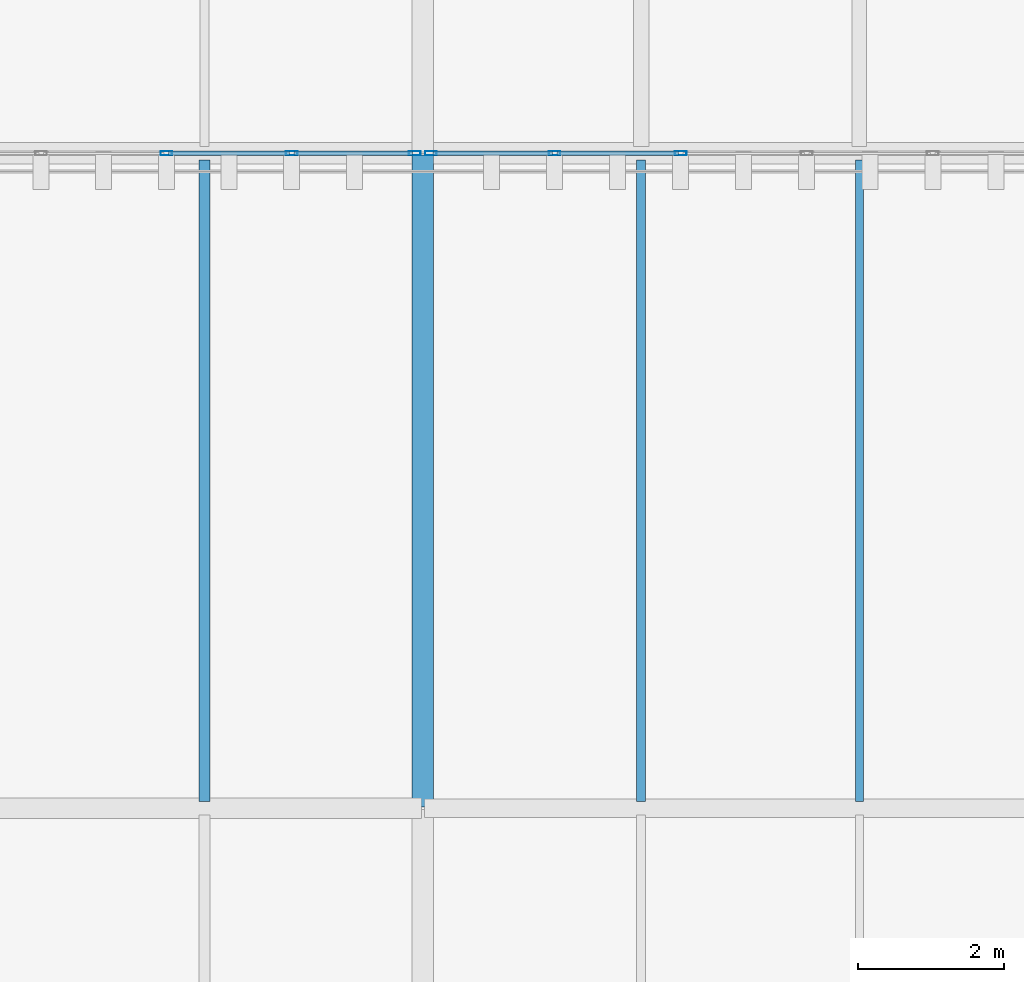
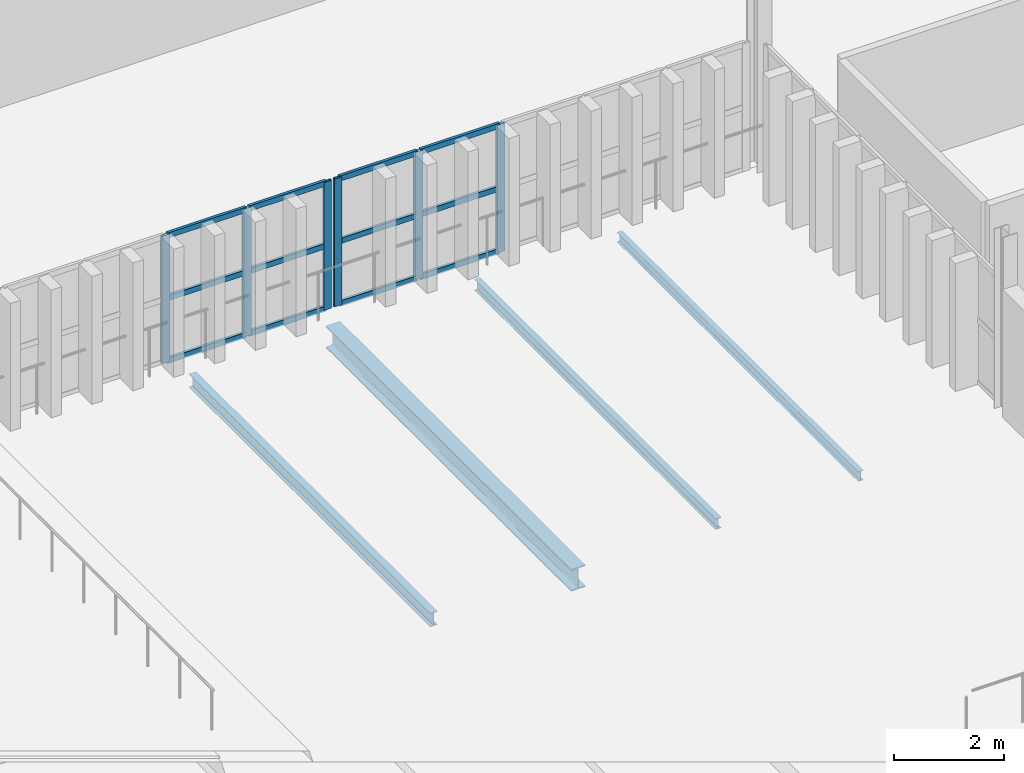
# One storey, part 39 of 102: 18 members, 4 beams, 2 elements without a shape of their own.
"""IFC4 building model written with IfcOpenShell, lengths in metres."""

from ifc_helpers import new_model, si_unit, direction, frame, origin, origin_2d, place, context, subcontext, project, spatial, hollow_rectangle, i_section, extrude, material, layer, layer_set, material_profile, profile_set, type_object, element, aggregate, save


model = new_model("IFC4")

# Units and contexts
model_context = context("Model", 3, precision=1e-05, world=origin(), true_north=direction((0.0, 1.0)))
body_context = subcontext(model_context, "Body", "Model", "MODEL_VIEW")
ifc_project = project(units=[si_unit("LENGTHUNIT", "METRE"), si_unit("AREAUNIT", "SQUARE_METRE"), si_unit("VOLUMEUNIT", "CUBIC_METRE"), si_unit("PLANEANGLEUNIT", "RADIAN"), si_unit("MASSUNIT", "GRAM", prefix="KILO")], contexts=[model_context])

# Site, building, storey
site_placement = place(None, origin())
site = spatial("IfcSite", under=ifc_project, at=site_placement, CompositionType="ELEMENT")
building_placement = place(site_placement, origin())
building = spatial("IfcBuilding", under=site, at=building_placement, Name="Barlavento Convention Centre", CompositionType="ELEMENT")
storey_placement = place(building_placement, frame((0.0, 0.0, 22.800048828125)))
storey = spatial("IfcBuildingStorey", under=building, at=storey_placement, Name="L04", CompositionType="ELEMENT", Elevation=22.800048828125)

# Curtain wall, members
ifc_material_1 = material(Name="Powder-coated aluminium and Low-E glass", Category="aluminium")
ifc_layer = layer(ifc_material_1, 0.18505859375)
ifc_layer_set = layer_set([ifc_layer], Name="ARC-CW-CONF-L04")
curtain_wall_type = type_object("IfcCurtainWallType", Name="ARC-CW-CONF-L04", PredefinedType="NOTDEFINED", material=ifc_layer_set)
curtain_wall_1_placement = place(storey_placement, origin())
curtain_wall_1 = element("IfcCurtainWall", 1, at=curtain_wall_1_placement, inside=storey, type_object=curtain_wall_type, Name="L04 unitised curtain wall CW09", PredefinedType="NOTDEFINED")
ifc_material_2 = material(Name="Powder-coated aluminium", Category="aluminium")
ifc_material_profile_1 = material_profile(ifc_material_2, hollow_rectangle(XDim=0.06005859375, YDim=0.159912109375, WallThickness=0.00390625, at=origin_2d()), Name="AL-MULL 60x160x4")
ifc_profile_set_1 = profile_set([ifc_material_profile_1], Name="Powder-coated aluminium")
member_type_1 = type_object("IfcMemberType", Name="ARC-CWM-60X160", PredefinedType="MULLION", material=ifc_profile_set_1)
member_1_placement = place(storey_placement, frame((140.47607421875, 54.0, 0.0), z_axis=(0.0, 0.0, 1.0), x_axis=(0.0, 1.0, 0.0)))
member_1 = element("IfcMember", 2, at=member_1_placement, type_object=member_type_1, Name="CW09 mullion 4", PredefinedType="MULLION", context=body_context, shape_type="SweptSolid", body=[
    extrude(hollow_rectangle(XDim=0.06005859375, YDim=0.159912109375, WallThickness=0.00390625, at=origin_2d()), origin(), (0.0, 0.0, 1.0), 2.849853515625),
])
member_2_placement = place(storey_placement, frame((142.197998046875, 54.0, 0.0), z_axis=(0.0, 0.0, 1.0), x_axis=(0.0, 1.0, 0.0)))
member_2 = element("IfcMember", 3, at=member_2_placement, type_object=member_type_1, Name="CW09 mullion 5", PredefinedType="MULLION", context=body_context, shape_type="SweptSolid", body=[
    extrude(hollow_rectangle(XDim=0.06005859375, YDim=0.159912109375, WallThickness=0.00390625, at=origin_2d()), origin(), (0.0, 0.0, 1.0), 2.849853515625),
])
member_3_placement = place(storey_placement, frame((143.889892578125, 54.0, 0.0), z_axis=(0.0, 0.0, 1.0), x_axis=(0.0, 1.0, 0.0)))
member_3 = element("IfcMember", 4, at=member_3_placement, type_object=member_type_1, Name="CW09 mullion 6", PredefinedType="MULLION", context=body_context, shape_type="SweptSolid", body=[
    extrude(hollow_rectangle(XDim=0.06005859375, YDim=0.159912109375, WallThickness=0.00390625, at=origin_2d()), origin(), (0.0, 0.0, 1.0), 2.849853515625),
])

curtain_wall_2_placement = place(storey_placement, origin())
curtain_wall_2 = element("IfcCurtainWall", 5, at=curtain_wall_2_placement, inside=storey, type_object=curtain_wall_type, Name="L04 unitised curtain wall CW09", PredefinedType="NOTDEFINED")
member_4_placement = place(storey_placement, frame((144.110107421875, 54.0, 0.0), z_axis=(0.0, 0.0, 1.0), x_axis=(0.0, 1.0, 0.0)))
member_4 = element("IfcMember", 6, at=member_4_placement, type_object=member_type_1, Name="CW09 mullion 1", PredefinedType="MULLION", context=body_context, shape_type="SweptSolid", body=[
    extrude(hollow_rectangle(XDim=0.06005859375, YDim=0.159912109375, WallThickness=0.00390625, at=origin_2d()), origin(), (0.0, 0.0, 1.0), 2.849853515625),
])
member_5_placement = place(storey_placement, frame((145.81201171875, 54.0, 0.0), z_axis=(0.0, 0.0, 1.0), x_axis=(0.0, 1.0, 0.0)))
member_5 = element("IfcMember", 7, at=member_5_placement, type_object=member_type_1, Name="CW09 mullion 2", PredefinedType="MULLION", context=body_context, shape_type="SweptSolid", body=[
    extrude(hollow_rectangle(XDim=0.06005859375, YDim=0.159912109375, WallThickness=0.00390625, at=origin_2d()), origin(), (0.0, 0.0, 1.0), 2.849853515625),
])
member_6_placement = place(storey_placement, frame((147.5439453125, 54.0, 0.0), z_axis=(0.0, 0.0, 1.0), x_axis=(0.0, 1.0, 0.0)))
member_6 = element("IfcMember", 8, at=member_6_placement, type_object=member_type_1, Name="CW09 mullion 3", PredefinedType="MULLION", context=body_context, shape_type="SweptSolid", body=[
    extrude(hollow_rectangle(XDim=0.06005859375, YDim=0.159912109375, WallThickness=0.00390625, at=origin_2d()), origin(), (0.0, 0.0, 1.0), 2.849853515625),
])

# Member
ifc_material_profile_2 = material_profile(ifc_material_2, hollow_rectangle(XDim=0.06005859375, YDim=0.1201171875, WallThickness=0.00390625, at=origin_2d()), Name="AL-TRAN 60x120x4")
ifc_profile_set_2 = profile_set([ifc_material_profile_2], Name="Powder-coated aluminium")
member_type_2 = type_object("IfcMemberType", Name="ARC-CWT-60X120", PredefinedType="USERDEFINED", material=ifc_profile_set_2)
member_7_placement = place(storey_placement, frame((140.506103515625, 54.0, 0.030029296875), z_axis=(1.0, 0.0, 0.0), x_axis=(0.0, 1.0, 0.0)))
member_7 = element("IfcMember", 9, at=member_7_placement, type_object=member_type_2, Name="CW09 transom 4.1", ObjectType="TRANSOM", PredefinedType="USERDEFINED", context=body_context, shape_type="SweptSolid", body=[
    extrude(hollow_rectangle(XDim=0.06005859375, YDim=0.1201171875, WallThickness=0.00390625, at=origin_2d()), origin(), (0.0, 0.0, 1.0), 1.661865234375),
])

member_8_placement = place(storey_placement, frame((140.506103515625, 54.0, 1.425048828125), z_axis=(1.0, 0.0, 0.0), x_axis=(0.0, 1.0, 0.0)))
member_8 = element("IfcMember", 10, at=member_8_placement, type_object=member_type_2, Name="CW09 transom 4.2", ObjectType="TRANSOM", PredefinedType="USERDEFINED", context=body_context, shape_type="SweptSolid", body=[
    extrude(hollow_rectangle(XDim=0.06005859375, YDim=0.1201171875, WallThickness=0.00390625, at=origin_2d()), origin(), (0.0, 0.0, 1.0), 1.661865234375),
])

member_9_placement = place(storey_placement, frame((140.506103515625, 54.0, 2.820068359375), z_axis=(1.0, 0.0, 0.0), x_axis=(0.0, 1.0, 0.0)))
member_9 = element("IfcMember", 11, at=member_9_placement, type_object=member_type_2, Name="CW09 transom 4.3", ObjectType="TRANSOM", PredefinedType="USERDEFINED", context=body_context, shape_type="SweptSolid", body=[
    extrude(hollow_rectangle(XDim=0.06005859375, YDim=0.1201171875, WallThickness=0.00390625, at=origin_2d()), origin(), (0.0, 0.0, 1.0), 1.661865234375),
])

member_10_placement = place(storey_placement, frame((142.22802734375, 54.0, 0.030029296875), z_axis=(1.0, 0.0, 0.0), x_axis=(0.0, 1.0, 0.0)))
member_10 = element("IfcMember", 12, at=member_10_placement, type_object=member_type_2, Name="CW09 transom 5.1", ObjectType="TRANSOM", PredefinedType="USERDEFINED", context=body_context, shape_type="SweptSolid", body=[
    extrude(hollow_rectangle(XDim=0.06005859375, YDim=0.1201171875, WallThickness=0.00390625, at=origin_2d()), origin(), (0.0, 0.0, 1.0), 1.632080078125),
])

member_11_placement = place(storey_placement, frame((142.22802734375, 54.0, 1.425048828125), z_axis=(1.0, 0.0, 0.0), x_axis=(0.0, 1.0, 0.0)))
member_11 = element("IfcMember", 13, at=member_11_placement, type_object=member_type_2, Name="CW09 transom 5.2", ObjectType="TRANSOM", PredefinedType="USERDEFINED", context=body_context, shape_type="SweptSolid", body=[
    extrude(hollow_rectangle(XDim=0.06005859375, YDim=0.1201171875, WallThickness=0.00390625, at=origin_2d()), origin(), (0.0, 0.0, 1.0), 1.632080078125),
])

member_12_placement = place(storey_placement, frame((142.22802734375, 54.0, 2.820068359375), z_axis=(1.0, 0.0, 0.0), x_axis=(0.0, 1.0, 0.0)))
member_12 = element("IfcMember", 14, at=member_12_placement, type_object=member_type_2, Name="CW09 transom 5.3", ObjectType="TRANSOM", PredefinedType="USERDEFINED", context=body_context, shape_type="SweptSolid", body=[
    extrude(hollow_rectangle(XDim=0.06005859375, YDim=0.1201171875, WallThickness=0.00390625, at=origin_2d()), origin(), (0.0, 0.0, 1.0), 1.632080078125),
])

aggregate(curtain_wall_1, [member_1, member_2, member_3, member_7, member_8, member_9, member_10, member_11, member_12])

member_13_placement = place(storey_placement, frame((144.139892578125, 54.0, 0.030029296875), z_axis=(1.0, 0.0, 0.0), x_axis=(0.0, 1.0, 0.0)))
member_13 = element("IfcMember", 15, at=member_13_placement, type_object=member_type_2, Name="CW09 transom 1.1", ObjectType="TRANSOM", PredefinedType="USERDEFINED", context=body_context, shape_type="SweptSolid", body=[
    extrude(hollow_rectangle(XDim=0.06005859375, YDim=0.1201171875, WallThickness=0.00390625, at=origin_2d()), origin(), (0.0, 0.0, 1.0), 1.64208984375),
])

member_14_placement = place(storey_placement, frame((144.139892578125, 54.0, 1.425048828125), z_axis=(1.0, 0.0, 0.0), x_axis=(0.0, 1.0, 0.0)))
member_14 = element("IfcMember", 16, at=member_14_placement, type_object=member_type_2, Name="CW09 transom 1.2", ObjectType="TRANSOM", PredefinedType="USERDEFINED", context=body_context, shape_type="SweptSolid", body=[
    extrude(hollow_rectangle(XDim=0.06005859375, YDim=0.1201171875, WallThickness=0.00390625, at=origin_2d()), origin(), (0.0, 0.0, 1.0), 1.64208984375),
])

member_15_placement = place(storey_placement, frame((144.139892578125, 54.0, 2.820068359375), z_axis=(1.0, 0.0, 0.0), x_axis=(0.0, 1.0, 0.0)))
member_15 = element("IfcMember", 17, at=member_15_placement, type_object=member_type_2, Name="CW09 transom 1.3", ObjectType="TRANSOM", PredefinedType="USERDEFINED", context=body_context, shape_type="SweptSolid", body=[
    extrude(hollow_rectangle(XDim=0.06005859375, YDim=0.1201171875, WallThickness=0.00390625, at=origin_2d()), origin(), (0.0, 0.0, 1.0), 1.64208984375),
])

member_16_placement = place(storey_placement, frame((145.842041015625, 54.0, 0.030029296875), z_axis=(1.0, 0.0, 0.0), x_axis=(0.0, 1.0, 0.0)))
member_16 = element("IfcMember", 18, at=member_16_placement, type_object=member_type_2, Name="CW09 transom 2.1", ObjectType="TRANSOM", PredefinedType="USERDEFINED", context=body_context, shape_type="SweptSolid", body=[
    extrude(hollow_rectangle(XDim=0.06005859375, YDim=0.1201171875, WallThickness=0.00390625, at=origin_2d()), origin(), (0.0, 0.0, 1.0), 1.671875),
])

member_17_placement = place(storey_placement, frame((145.842041015625, 54.0, 1.425048828125), z_axis=(1.0, 0.0, 0.0), x_axis=(0.0, 1.0, 0.0)))
member_17 = element("IfcMember", 19, at=member_17_placement, type_object=member_type_2, Name="CW09 transom 2.2", ObjectType="TRANSOM", PredefinedType="USERDEFINED", context=body_context, shape_type="SweptSolid", body=[
    extrude(hollow_rectangle(XDim=0.06005859375, YDim=0.1201171875, WallThickness=0.00390625, at=origin_2d()), origin(), (0.0, 0.0, 1.0), 1.671875),
])

member_18_placement = place(storey_placement, frame((145.842041015625, 54.0, 2.820068359375), z_axis=(1.0, 0.0, 0.0), x_axis=(0.0, 1.0, 0.0)))
member_18 = element("IfcMember", 20, at=member_18_placement, type_object=member_type_2, Name="CW09 transom 2.3", ObjectType="TRANSOM", PredefinedType="USERDEFINED", context=body_context, shape_type="SweptSolid", body=[
    extrude(hollow_rectangle(XDim=0.06005859375, YDim=0.1201171875, WallThickness=0.00390625, at=origin_2d()), origin(), (0.0, 0.0, 1.0), 1.671875),
])

aggregate(curtain_wall_2, [member_4, member_5, member_6, member_13, member_14, member_15, member_16, member_17, member_18])

# Beams
ifc_material_3 = material(Name="Steel S355", Category="steel")
ifc_material_profile_3 = material_profile(ifc_material_3, i_section(OverallWidth=0.110107421875, OverallDepth=0.219970703125, WebThickness=0.005859375, FlangeThickness=0.00927734375, FilletRadius=0.011962890625, at=origin_2d()), Name="IPE 220")
ifc_profile_set_3 = profile_set([ifc_material_profile_3], Name="Steel S355")
beam_type_1 = type_object("IfcBeamType", Name="STR-BM-JST-IPE220", PredefinedType="JOIST", material=ifc_profile_set_3)
beam_1_placement = place(storey_placement, frame((150.0, 45.094970703125, -0.469970703125), z_axis=(0.0, 1.0, 0.0), x_axis=(-1.0, 0.0, 0.0)))
element("IfcBeam", 21, at=beam_1_placement, inside=storey, type_object=beam_type_1, Name="L04 composite floor joist SJ10", PredefinedType="JOIST", context=body_context, shape_type="SweptSolid", body=[
    extrude(i_section(OverallWidth=0.110107421875, OverallDepth=0.219970703125, WebThickness=0.005859375, FlangeThickness=0.00927734375, FilletRadius=0.011962890625, at=origin_2d()), origin(), (0.0, 0.0, 1.0), 8.81005859375),
])
ifc_material_profile_4 = material_profile(ifc_material_3, i_section(OverallWidth=0.1201171875, OverallDepth=0.239990234375, WebThickness=0.006103515625, FlangeThickness=0.009765625, FilletRadius=0.014892578125, at=origin_2d()), Name="IPE 240")
ifc_profile_set_4 = profile_set([ifc_material_profile_4], Name="Steel S355")
beam_type_2 = type_object("IfcBeamType", Name="STR-BM-JST-IPE240", PredefinedType="JOIST", material=ifc_profile_set_4)
beam_2_placement = place(storey_placement, frame((147.0, 45.094970703125, -0.47998046875), z_axis=(0.0, 1.0, 0.0), x_axis=(-1.0, 0.0, 0.0)))
element("IfcBeam", 22, at=beam_2_placement, inside=storey, type_object=beam_type_2, Name="L04 composite floor joist SJ09", PredefinedType="JOIST", context=body_context, shape_type="SweptSolid", body=[
    extrude(i_section(OverallWidth=0.1201171875, OverallDepth=0.239990234375, WebThickness=0.006103515625, FlangeThickness=0.009765625, FilletRadius=0.014892578125, at=origin_2d()), origin(), (0.0, 0.0, 1.0), 8.81005859375),
])
ifc_material_profile_5 = material_profile(ifc_material_3, i_section(OverallWidth=0.14990234375, OverallDepth=0.300048828125, WebThickness=0.007080078125, FlangeThickness=0.0107421875, FilletRadius=0.014892578125, at=origin_2d()), Name="IPE 300")
ifc_profile_set_5 = profile_set([ifc_material_profile_5], Name="Steel S355")
beam_type_3 = type_object("IfcBeamType", Name="STR-BM-JST-IPE300", PredefinedType="JOIST", material=ifc_profile_set_5)
beam_3_placement = place(storey_placement, frame((141.0, 45.094970703125, -0.510009765625), z_axis=(0.0, 1.0, 0.0), x_axis=(-1.0, 0.0, 0.0)))
element("IfcBeam", 23, at=beam_3_placement, inside=storey, type_object=beam_type_3, Name="L04 composite floor joist SJ07", PredefinedType="JOIST", context=body_context, shape_type="SweptSolid", body=[
    extrude(i_section(OverallWidth=0.14990234375, OverallDepth=0.300048828125, WebThickness=0.007080078125, FlangeThickness=0.0107421875, FilletRadius=0.014892578125, at=origin_2d()), origin(), (0.0, 0.0, 1.0), 8.81005859375),
])
ifc_material_profile_6 = material_profile(ifc_material_3, i_section(OverallWidth=0.300048828125, OverallDepth=0.489990234375, WebThickness=0.011962890625, FlangeThickness=0.02294921875, FilletRadius=0.027099609375, at=origin_2d()), Name="HEA 500")
ifc_profile_set_6 = profile_set([ifc_material_profile_6], Name="Steel S355")
beam_type_4 = type_object("IfcBeamType", Name="STR-BM-PRI-HEA500", PredefinedType="BEAM", material=ifc_profile_set_6)
beam_4_placement = place(storey_placement, frame((144.0, 45.02001953125, -0.60498046875), z_axis=(0.0, 1.0, 0.0), x_axis=(-1.0, 0.0, 0.0)))
element("IfcBeam", 24, at=beam_4_placement, inside=storey, type_object=beam_type_4, Name="L04 grid girder BG20", PredefinedType="BEAM", context=body_context, shape_type="SweptSolid", body=[
    extrude(i_section(OverallWidth=0.300048828125, OverallDepth=0.489990234375, WebThickness=0.011962890625, FlangeThickness=0.02294921875, FilletRadius=0.027099609375, at=origin_2d()), origin(), (0.0, 0.0, 1.0), 8.9599609375),
])

save(model, "model.ifc")
